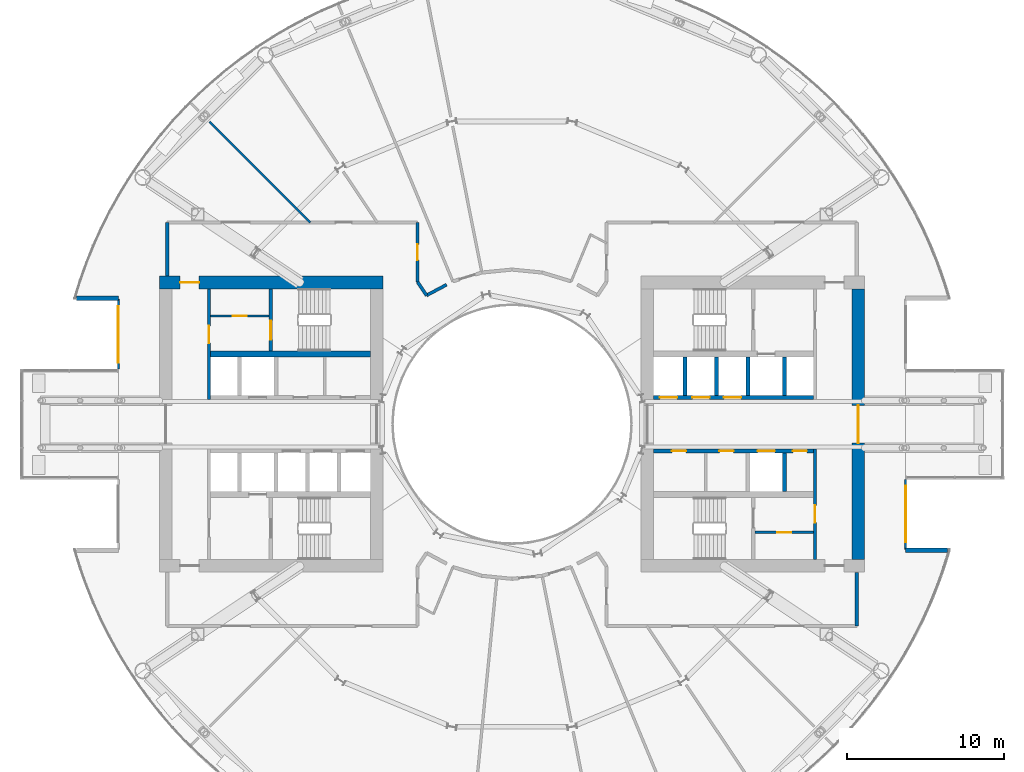
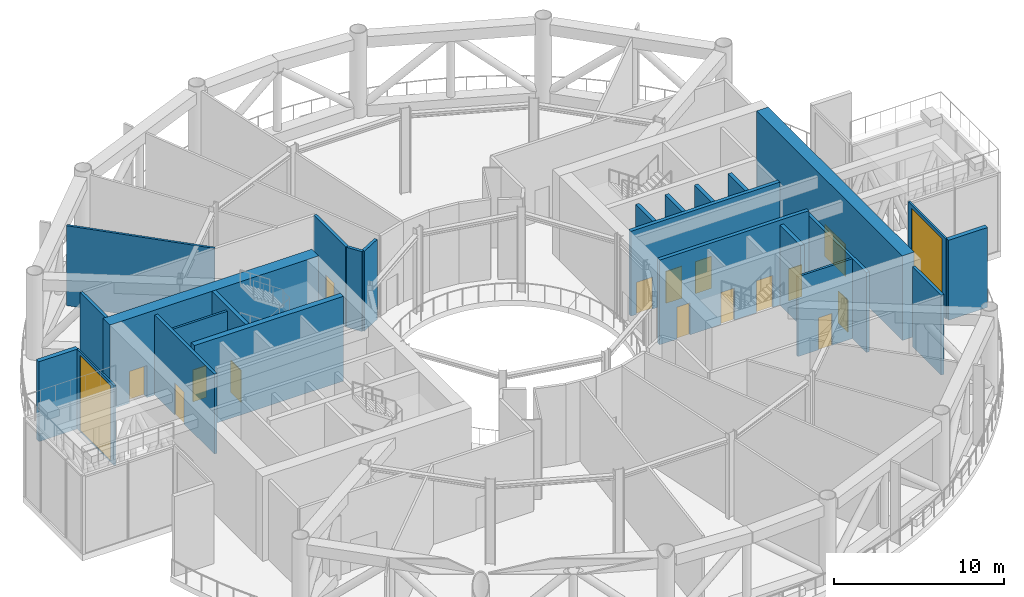
# One storey, part 12 of 22: 25 walls, 15 doors, 2 windows, 17 openings.
"""IFC4 building model written with IfcOpenShell, lengths in metres."""

from ifc_helpers import new_model, si_unit, direction, frame, frame_2d, origin, place, context, subcontext, project, spatial, rectangle, extrude, material, layer, layer_set, type_object, element, fill, save


model = new_model("IFC4")

# Units and contexts
model_context = context("Model", 3, precision=1e-05, world=origin(), true_north=direction((0.0, 1.0)))
body_context = subcontext(model_context, "Body", "Model", "MODEL_VIEW")
ifc_project = project(units=[si_unit("LENGTHUNIT", "METRE"), si_unit("AREAUNIT", "SQUARE_METRE"), si_unit("VOLUMEUNIT", "CUBIC_METRE"), si_unit("PLANEANGLEUNIT", "RADIAN"), si_unit("MASSUNIT", "GRAM", prefix="KILO")], contexts=[model_context])

# Site, building, storey
site_placement = place(None, origin())
site = spatial("IfcSite", under=ifc_project, at=site_placement, CompositionType="ELEMENT")
building_placement = place(site_placement, origin())
building = spatial("IfcBuilding", under=site, at=building_placement, Name="Maasbend Ring Residences", CompositionType="ELEMENT")
storey_placement = place(building_placement, frame((0.0, 0.0, 57.5)))
storey = spatial("IfcBuildingStorey", under=building, at=storey_placement, Name="L16", CompositionType="ELEMENT", Elevation=57.5)

# Wall, openings, doors
ifc_material_1 = material(Name="Concrete C70/85", Category="concrete")
ifc_layer_1 = layer(ifc_material_1, 0.25)
ifc_layer_set_1 = layer_set([ifc_layer_1], Name="Concrete C70/85")
wall_type_1 = type_object("IfcWallType", Name="CORE WALL 250 C70/85", PredefinedType="SHEAR", material=ifc_layer_set_1)
wall_1_placement = place(storey_placement, frame((9.0, 1.699951171875, 0.0), z_axis=(0.0, 0.0, 1.0), x_axis=(1.0, 0.0, 0.0)))
wall_1 = element("IfcWall", 1, at=wall_1_placement, inside=storey, type_object=wall_type_1, Name="L16 core E wall SPN", PredefinedType="SHEAR", context=body_context, shape_type="SweptSolid", body=[
    extrude(rectangle(XDim=10.14990234375, YDim=0.25, at=frame_2d((5.074951171875, 0.0))), origin(), (0.0, 0.0, 1.0), 6.10009765625),
])
opening_1_placement = place(wall_1_placement, frame((0.387451171875, 0.0, 0.0)))
opening_1 = element("IfcOpeningElement", 2, at=opening_1_placement, cuts=wall_1, Name="Opening LD-E1601", PredefinedType="OPENING", context=body_context, shape_type="SweptSolid", body=[
    extrude(rectangle(XDim=1.10009765625, YDim=2.300048828125, at=frame_2d((0.550048828125, 1.14990234375))), frame((0.0, 0.135009765625, 0.0), z_axis=(0.0, -1.0, 0.0), x_axis=(1.0, 0.0, 0.0)), (0.0, 0.0, 1.0), 0.27001953125),
])
opening_2_placement = place(wall_1_placement, frame((2.449951171875, 0.0, 0.0)))
opening_2 = element("IfcOpeningElement", 3, at=opening_2_placement, cuts=wall_1, Name="Opening LD-E1602", PredefinedType="OPENING", context=body_context, shape_type="SweptSolid", body=[
    extrude(rectangle(XDim=1.10009765625, YDim=2.300048828125, at=frame_2d((0.550048828125, 1.14990234375))), frame((0.0, 0.135009765625, 0.0), z_axis=(0.0, -1.0, 0.0), x_axis=(1.0, 0.0, 0.0)), (0.0, 0.0, 1.0), 0.27001953125),
])
opening_3_placement = place(wall_1_placement, frame((4.449951171875, 0.0, 0.0)))
opening_3 = element("IfcOpeningElement", 4, at=opening_3_placement, cuts=wall_1, Name="Opening LD-E1603", PredefinedType="OPENING", context=body_context, shape_type="SweptSolid", body=[
    extrude(rectangle(XDim=1.10009765625, YDim=2.300048828125, at=frame_2d((0.550048828125, 1.14990234375))), frame((0.0, 0.135009765625, 0.0), z_axis=(0.0, -1.0, 0.0), x_axis=(1.0, 0.0, 0.0)), (0.0, 0.0, 1.0), 0.27001953125),
])
ifc_material_2 = material(Name="Stainless steel 316", Category="steel")
door_type_1 = type_object("IfcDoorType", Name="LANDING DOOR 1100 X 2300 FD60", OperationType="DOUBLE_DOOR_SLIDING", PredefinedType="DOOR", material=ifc_material_2)
door_1_placement = place(opening_1_placement, origin())
door_1 = element("IfcDoor", 5, at=door_1_placement, inside=storey, type_object=door_type_1, Name="Landing door LR-E1 L16", OperationType="DOUBLE_DOOR_SLIDING", OverallHeight=2.300048828125, OverallWidth=1.10009765625, PredefinedType="DOOR", context=body_context, shape_type="SweptSolid", body=[
    extrude(rectangle(XDim=1.10009765625, YDim=2.300048828125, at=frame_2d((0.550048828125, 1.14990234375))), frame((0.0, 0.02490234375, 0.0), z_axis=(0.0, -1.0, 0.0), x_axis=(1.0, 0.0, 0.0)), (0.0, 0.0, 1.0), 0.050048828125),
])
fill(opening_1, door_1)
door_2_placement = place(opening_2_placement, origin())
door_2 = element("IfcDoor", 6, at=door_2_placement, inside=storey, type_object=door_type_1, Name="Landing door LR-E2 L16", OperationType="DOUBLE_DOOR_SLIDING", OverallHeight=2.300048828125, OverallWidth=1.10009765625, PredefinedType="DOOR", context=body_context, shape_type="SweptSolid", body=[
    extrude(rectangle(XDim=1.10009765625, YDim=2.300048828125, at=frame_2d((0.550048828125, 1.14990234375))), frame((0.0, 0.02490234375, 0.0), z_axis=(0.0, -1.0, 0.0), x_axis=(1.0, 0.0, 0.0)), (0.0, 0.0, 1.0), 0.050048828125),
])
fill(opening_2, door_2)
door_3_placement = place(opening_3_placement, origin())
door_3 = element("IfcDoor", 7, at=door_3_placement, inside=storey, type_object=door_type_1, Name="Landing door LR-E3 L16", OperationType="DOUBLE_DOOR_SLIDING", OverallHeight=2.300048828125, OverallWidth=1.10009765625, PredefinedType="DOOR", context=body_context, shape_type="SweptSolid", body=[
    extrude(rectangle(XDim=1.10009765625, YDim=2.300048828125, at=frame_2d((0.550048828125, 1.14990234375))), frame((0.0, 0.02490234375, 0.0), z_axis=(0.0, -1.0, 0.0), x_axis=(1.0, 0.0, 0.0)), (0.0, 0.0, 1.0), 0.050048828125),
])
fill(opening_3, door_3)

wall_2_placement = place(storey_placement, frame((19.14990234375, -1.699951171875, 0.0), z_axis=(0.0, 0.0, 1.0), x_axis=(-1.0, 0.0, 0.0)))
wall_2 = element("IfcWall", 8, at=wall_2_placement, inside=storey, type_object=wall_type_1, Name="L16 core E wall SPS", PredefinedType="SHEAR", context=body_context, shape_type="SweptSolid", body=[
    extrude(rectangle(XDim=10.14990234375, YDim=0.25, at=frame_2d((5.074951171875, 0.0))), origin(), (0.0, 0.0, 1.0), 6.10009765625),
])
opening_4_placement = place(wall_2_placement, frame((2.449951171875, 0.0, 0.0)))
opening_4 = element("IfcOpeningElement", 9, at=opening_4_placement, cuts=wall_2, Name="Opening LD-E1605", PredefinedType="OPENING", context=body_context, shape_type="SweptSolid", body=[
    extrude(rectangle(XDim=1.10009765625, YDim=2.300048828125, at=frame_2d((0.550048828125, 1.14990234375))), frame((0.0, 0.135009765625, 0.0), z_axis=(0.0, -1.0, 0.0), x_axis=(1.0, 0.0, 0.0)), (0.0, 0.0, 1.0), 0.27001953125),
])
opening_5_placement = place(wall_2_placement, frame((8.08740234375, 0.0, 0.0)))
opening_5 = element("IfcOpeningElement", 10, at=opening_5_placement, cuts=wall_2, Name="Opening D-E1606", PredefinedType="OPENING", context=body_context, shape_type="SweptSolid", body=[
    extrude(rectangle(XDim=0.89990234375, YDim=2.300048828125, at=frame_2d((0.449951171875, 1.14990234375))), frame((0.0, 0.135009765625, 0.0), z_axis=(0.0, -1.0, 0.0), x_axis=(1.0, 0.0, 0.0)), (0.0, 0.0, 1.0), 0.27001953125),
])
opening_6_placement = place(wall_2_placement, frame((5.074951171875, 0.0, 0.0)))
opening_6 = element("IfcOpeningElement", 11, at=opening_6_placement, cuts=wall_2, Name="Opening D-E1607", PredefinedType="OPENING", context=body_context, shape_type="SweptSolid", body=[
    extrude(rectangle(XDim=0.89990234375, YDim=2.300048828125, at=frame_2d((0.449951171875, 1.14990234375))), frame((0.0, 0.135009765625, 0.0), z_axis=(0.0, -1.0, 0.0), x_axis=(1.0, 0.0, 0.0)), (0.0, 0.0, 1.0), 0.27001953125),
])
opening_7_placement = place(wall_2_placement, frame((0.41259765625, 0.0, 0.0)))
opening_7 = element("IfcOpeningElement", 12, at=opening_7_placement, cuts=wall_2, Name="Opening D-E1608", PredefinedType="OPENING", context=body_context, shape_type="SweptSolid", body=[
    extrude(rectangle(XDim=0.89990234375, YDim=2.300048828125, at=frame_2d((0.449951171875, 1.14990234375))), frame((0.0, 0.135009765625, 0.0), z_axis=(0.0, -1.0, 0.0), x_axis=(1.0, 0.0, 0.0)), (0.0, 0.0, 1.0), 0.27001953125),
])
door_4_placement = place(opening_4_placement, origin())
door_4 = element("IfcDoor", 13, at=door_4_placement, inside=storey, type_object=door_type_1, Name="Landing door SV-E L16", OperationType="DOUBLE_DOOR_SLIDING", OverallHeight=2.300048828125, OverallWidth=1.10009765625, PredefinedType="DOOR", context=body_context, shape_type="SweptSolid", body=[
    extrude(rectangle(XDim=1.10009765625, YDim=2.300048828125, at=frame_2d((0.550048828125, 1.14990234375))), frame((0.0, 0.02490234375, 0.0), z_axis=(0.0, -1.0, 0.0), x_axis=(1.0, 0.0, 0.0)), (0.0, 0.0, 1.0), 0.050048828125),
])
fill(opening_4, door_4)
ifc_material_3 = material(Name="Steel, powder coated", Category="steel")
door_type_2 = type_object("IfcDoorType", Name="ROOM DOOR 900 X 2300 FD30S", OperationType="NOTDEFINED", PredefinedType="DOOR", material=ifc_material_3)
door_5_placement = place(opening_5_placement, origin())
door_5 = element("IfcDoor", 14, at=door_5_placement, inside=storey, type_object=door_type_2, Name="Room door L16", OperationType="SINGLE_SWING_LEFT", OverallHeight=2.300048828125, OverallWidth=0.89990234375, PredefinedType="DOOR", context=body_context, shape_type="SweptSolid", body=[
    extrude(rectangle(XDim=0.89990234375, YDim=2.300048828125, at=frame_2d((0.449951171875, 1.14990234375))), frame((0.0, 0.02490234375, 0.0), z_axis=(0.0, -1.0, 0.0), x_axis=(1.0, 0.0, 0.0)), (0.0, 0.0, 1.0), 0.050048828125),
])
fill(opening_5, door_5)
door_6_placement = place(opening_6_placement, origin())
door_6 = element("IfcDoor", 15, at=door_6_placement, inside=storey, type_object=door_type_2, Name="Room door L16", OperationType="SINGLE_SWING_LEFT", OverallHeight=2.300048828125, OverallWidth=0.89990234375, PredefinedType="DOOR", context=body_context, shape_type="SweptSolid", body=[
    extrude(rectangle(XDim=0.89990234375, YDim=2.300048828125, at=frame_2d((0.449951171875, 1.14990234375))), frame((0.0, 0.02490234375, 0.0), z_axis=(0.0, -1.0, 0.0), x_axis=(1.0, 0.0, 0.0)), (0.0, 0.0, 1.0), 0.050048828125),
])
fill(opening_6, door_6)
door_7_placement = place(opening_7_placement, origin())
door_7 = element("IfcDoor", 16, at=door_7_placement, inside=storey, type_object=door_type_2, Name="Room door L16", OperationType="SINGLE_SWING_RIGHT", OverallHeight=2.300048828125, OverallWidth=0.89990234375, PredefinedType="DOOR", context=body_context, shape_type="SweptSolid", body=[
    extrude(rectangle(XDim=0.89990234375, YDim=2.300048828125, at=frame_2d((0.449951171875, 1.14990234375))), frame((0.0, 0.02490234375, 0.0), z_axis=(0.0, -1.0, 0.0), x_axis=(1.0, 0.0, 0.0)), (0.0, 0.0, 1.0), 0.050048828125),
])
fill(opening_7, door_7)

# Wall, opening, door
wall_3_placement = place(storey_placement, frame((-15.324951171875, 8.60009765625, 0.0), z_axis=(0.0, 0.0, 1.0), x_axis=(0.0, -1.0, 0.0)))
wall_3 = element("IfcWall", 17, at=wall_3_placement, inside=storey, type_object=wall_type_1, Name="L16 core W wall STES", PredefinedType="SHEAR", context=body_context, shape_type="SweptSolid", body=[
    extrude(rectangle(XDim=3.9501953125, YDim=0.25, at=frame_2d((1.97509765625, 0.0))), origin(), (0.0, 0.0, 1.0), 6.10009765625),
])
opening_8_placement = place(wall_3_placement, frame((2.02490234375, 0.0, 0.0)))
opening_8 = element("IfcOpeningElement", 18, at=opening_8_placement, cuts=wall_3, Name="Opening D-W1610", PredefinedType="OPENING", context=body_context, shape_type="SweptSolid", body=[
    extrude(rectangle(XDim=1.199951171875, YDim=2.300048828125, at=frame_2d((0.60009765625, 1.14990234375))), frame((0.0, 0.135009765625, 0.0), z_axis=(0.0, -1.0, 0.0), x_axis=(1.0, 0.0, 0.0)), (0.0, 0.0, 1.0), 0.27001953125),
])
ifc_material_4 = material(Name="Steel, powder coated", Category="steel")
door_type_3 = type_object("IfcDoorType", Name="STAIR DOOR 1200 X 2300 FD60", OperationType="NOTDEFINED", PredefinedType="DOOR", material=ifc_material_4)
door_8_placement = place(opening_8_placement, origin())
door_8 = element("IfcDoor", 19, at=door_8_placement, inside=storey, type_object=door_type_3, Name="Stair door ST-W L16", OperationType="SINGLE_SWING_LEFT", OverallHeight=2.300048828125, OverallWidth=1.199951171875, PredefinedType="DOOR", context=body_context, shape_type="SweptSolid", body=[
    extrude(rectangle(XDim=1.199951171875, YDim=2.300048828125, at=frame_2d((0.60009765625, 1.14990234375))), frame((0.0, 0.02490234375, 0.0), z_axis=(0.0, -1.0, 0.0), x_axis=(1.0, 0.0, 0.0)), (0.0, 0.0, 1.0), 0.050048828125),
])
fill(opening_8, door_8)

# Wall
ifc_material_5 = material(Name="Concrete C70/85", Category="concrete")
ifc_layer_2 = layer(ifc_material_5, 0.375)
ifc_layer_set_2 = layer_set([ifc_layer_2], Name="Concrete C70/85")
wall_type_2 = type_object("IfcWallType", Name="CORE WALL 375 C70/85", PredefinedType="SHEAR", material=ifc_layer_set_2)
wall_4_placement = place(storey_placement, frame((-9.0, 4.46240234375, 0.0), z_axis=(0.0, 0.0, 1.0), x_axis=(-1.0, 0.0, 0.0)))
element("IfcWall", 20, at=wall_4_placement, inside=storey, type_object=wall_type_2, Name="L16 core W wall BS", PredefinedType="SHEAR", context=body_context, shape_type="SweptSolid", body=[
    extrude(rectangle(XDim=10.14990234375, YDim=0.375, at=frame_2d((5.074951171875, 0.0))), origin(), (0.0, 0.0, 1.0), 6.10009765625),
])

# Wall, opening, door
ifc_material_6 = material(Name="Concrete C70/85", Category="concrete")
ifc_layer_3 = layer(ifc_material_6, 0.800048828125)
ifc_layer_set_3 = layer_set([ifc_layer_3], Name="Concrete C70/85")
wall_type_3 = type_object("IfcWallType", Name="CORE WALL 800 C70/85", PredefinedType="SHEAR", material=ifc_layer_set_3)
wall_5_placement = place(storey_placement, frame((22.0, 8.60009765625, 0.0), z_axis=(0.0, 0.0, 1.0), x_axis=(0.0, -1.0, 0.0)))
wall_5 = element("IfcWall", 21, at=wall_5_placement, inside=storey, type_object=wall_type_3, Name="L16 core E wall POUT", PredefinedType="SHEAR", context=body_context, shape_type="SweptSolid", body=[
    extrude(rectangle(XDim=17.2001953125, YDim=0.800048828125, at=frame_2d((8.60009765625, 0.0))), origin(), (0.0, 0.0, 1.0), 6.10009765625),
])
opening_9_placement = place(wall_5_placement, frame((7.39990234375, 0.0, 0.0)))
opening_9 = element("IfcOpeningElement", 22, at=opening_9_placement, cuts=wall_5, Name="Opening D-E1616", PredefinedType="OPENING", context=body_context, shape_type="SweptSolid", body=[
    extrude(rectangle(XDim=2.39990234375, YDim=2.300048828125, at=frame_2d((1.199951171875, 1.14990234375))), frame((0.0, 0.41015625, 0.0), z_axis=(0.0, -1.0, 0.0), x_axis=(1.0, 0.0, 0.0)), (0.0, 0.0, 1.0), 0.820068359375),
])
ifc_material_7 = material(Name="Aluminium frame, clear glass", Category="aluminium")
door_type_4 = type_object("IfcDoorType", Name="ENTRANCE DOOR 2400 X 2300 FD60", OperationType="NOTDEFINED", PredefinedType="DOOR", material=ifc_material_7)
door_9_placement = place(opening_9_placement, origin())
door_9 = element("IfcDoor", 23, at=door_9_placement, inside=storey, type_object=door_type_4, Name="Lobby glazed door L16", OperationType="SINGLE_SWING_LEFT", OverallHeight=2.300048828125, OverallWidth=2.39990234375, PredefinedType="DOOR", context=body_context, shape_type="SweptSolid", body=[
    extrude(rectangle(XDim=2.39990234375, YDim=2.300048828125, at=frame_2d((1.199951171875, 1.14990234375))), frame((0.0, 0.02490234375, 0.0), z_axis=(0.0, -1.0, 0.0), x_axis=(1.0, 0.0, 0.0)), (0.0, 0.0, 1.0), 0.050048828125),
])
fill(opening_9, door_9)

wall_6_placement = place(storey_placement, frame((-8.199951171875, 9.0, 0.0), z_axis=(0.0, 0.0, 1.0), x_axis=(-1.0, 0.0, 0.0)))
wall_6 = element("IfcWall", 24, at=wall_6_placement, inside=storey, type_object=wall_type_3, Name="L16 core W wall PS", PredefinedType="SHEAR", context=body_context, shape_type="SweptSolid", body=[
    extrude(rectangle(XDim=14.199951171875, YDim=0.800048828125, at=frame_2d((7.10009765625, 0.0))), origin(), (0.0, 0.0, 1.0), 6.10009765625),
])
opening_10_placement = place(wall_6_placement, frame((11.675048828125, 0.0, 0.0)))
opening_10 = element("IfcOpeningElement", 25, at=opening_10_placement, cuts=wall_6, Name="Opening D-W1614", PredefinedType="OPENING", context=body_context, shape_type="SweptSolid", body=[
    extrude(rectangle(XDim=1.199951171875, YDim=2.300048828125, at=frame_2d((0.60009765625, 1.14990234375))), frame((0.0, 0.41015625, 0.0), z_axis=(0.0, -1.0, 0.0), x_axis=(1.0, 0.0, 0.0)), (0.0, 0.0, 1.0), 0.820068359375),
])
ifc_material_8 = material(Name="Steel, powder coated", Category="steel")
door_type_5 = type_object("IfcDoorType", Name="CORRIDOR DOOR 1200 X 2300 FD30S", OperationType="NOTDEFINED", PredefinedType="DOOR", material=ifc_material_8)
door_10_placement = place(opening_10_placement, origin())
door_10 = element("IfcDoor", 26, at=door_10_placement, inside=storey, type_object=door_type_5, Name="Corridor door L16", OperationType="SINGLE_SWING_LEFT", OverallHeight=2.300048828125, OverallWidth=1.199951171875, PredefinedType="DOOR", context=body_context, shape_type="SweptSolid", body=[
    extrude(rectangle(XDim=1.199951171875, YDim=2.300048828125, at=frame_2d((0.60009765625, 1.14990234375))), frame((0.0, 0.02490234375, 0.0), z_axis=(0.0, -1.0, 0.0), x_axis=(1.0, 0.0, 0.0)), (0.0, 0.0, 1.0), 0.050048828125),
])
fill(opening_10, door_10)

# Walls
ifc_material_9 = material(Name="Concrete C30/37", Category="concrete")
ifc_layer_4 = layer(ifc_material_9, 0.199951171875)
ifc_layer_set_4 = layer_set([ifc_layer_4], Name="Concrete C30/37")
wall_type_4 = type_object("IfcWallType", Name="CORRIDOR WALL 200 CONCRETE", PredefinedType="PARTITIONING", material=ifc_layer_set_4)
wall_7_placement = place(storey_placement, frame((21.89990234375, -12.820068359375, 0.0), z_axis=(0.0, 0.0, 1.0), x_axis=(0.0, 1.0, 0.0)))
element("IfcWall", 27, at=wall_7_placement, inside=storey, type_object=wall_type_4, Name="U-L16-w001", PredefinedType="PARTITIONING", context=body_context, shape_type="SweptSolid", body=[
    extrude(rectangle(XDim=3.400146484375, YDim=0.199951171875, at=frame_2d((1.7001953125, 0.0))), origin(), (0.0, 0.0, 1.0), 5.75),
])
wall_8_placement = place(storey_placement, frame((-6.0, 9.033935546875, 0.0), z_axis=(0.0, 0.0, 1.0), x_axis=(0.555412364489, -0.831575075007, 0.0)))
element("IfcWall", 28, at=wall_8_placement, inside=storey, type_object=wall_type_4, Name="U-L16-w039", PredefinedType="PARTITIONING", context=body_context, shape_type="SweptSolid", body=[
    extrude(rectangle(XDim=1.028076171875, YDim=0.199951171875, at=frame_2d((0.51416015625, 0.0))), origin(), (0.0, 0.0, 1.0), 5.75),
])

# Wall, opening, door
wall_9_placement = place(storey_placement, frame((-6.0, 9.033935546875, 0.0), z_axis=(0.0, 0.0, 1.0), x_axis=(0.0, 1.0, 0.0)))
wall_9 = element("IfcWall", 29, at=wall_9_placement, inside=storey, type_object=wall_type_4, Name="U-L16-w042", PredefinedType="PARTITIONING", context=body_context, shape_type="SweptSolid", body=[
    extrude(rectangle(XDim=3.7861328125, YDim=0.199951171875, at=frame_2d((1.89306640625, 0.0))), origin(), (0.0, 0.0, 1.0), 5.75),
])
opening_11_placement = place(wall_9_placement, frame((1.39306640625, 0.0, 0.0)))
opening_11 = element("IfcOpeningElement", 30, at=opening_11_placement, cuts=wall_9, Name="Opening D-1604", PredefinedType="OPENING", context=body_context, shape_type="SweptSolid", body=[
    extrude(rectangle(XDim=1.0, YDim=2.300048828125, at=frame_2d((0.5, 1.14990234375))), frame((0.0, 0.10986328125, 0.0), z_axis=(0.0, -1.0, 0.0), x_axis=(1.0, 0.0, 0.0)), (0.0, 0.0, 1.0), 0.219970703125),
])
ifc_material_10 = material(Name="Timber, painted", Category="wood")
door_type_6 = type_object("IfcDoorType", Name="ROOM DOOR 1000 X 2300", OperationType="NOTDEFINED", PredefinedType="DOOR", material=ifc_material_10)
door_11_placement = place(opening_11_placement, origin())
door_11 = element("IfcDoor", 31, at=door_11_placement, inside=storey, type_object=door_type_6, Name="D-1604", OperationType="SINGLE_SWING_LEFT", OverallHeight=2.300048828125, OverallWidth=1.0, PredefinedType="DOOR", context=body_context, shape_type="SweptSolid", body=[
    extrude(rectangle(XDim=1.0, YDim=2.300048828125, at=frame_2d((0.5, 1.14990234375))), frame((0.0, 0.02490234375, 0.0), z_axis=(0.0, -1.0, 0.0), x_axis=(1.0, 0.0, 0.0)), (0.0, 0.0, 1.0), 0.050048828125),
])
fill(opening_11, door_11)

# Walls
wall_10_placement = place(storey_placement, frame((-5.428955078125, 8.178955078125, 0.0), z_axis=(0.0, 0.0, 1.0), x_axis=(0.88193287619, 0.471375011954, 0.0)))
element("IfcWall", 32, at=wall_10_placement, inside=storey, type_object=wall_type_4, Name="U-L16-w043", PredefinedType="PARTITIONING", context=body_context, shape_type="SweptSolid", body=[
    extrude(rectangle(XDim=1.44921875, YDim=0.199951171875, at=frame_2d((0.724609375, 0.0))), origin(), (0.0, 0.0, 1.0), 5.75),
])
wall_11_placement = place(storey_placement, frame((-21.89990234375, 9.419921875, 0.0), z_axis=(0.0, 0.0, 1.0), x_axis=(0.0, 1.0, 0.0)))
element("IfcWall", 33, at=wall_11_placement, inside=storey, type_object=wall_type_4, Name="U-L16-w053", PredefinedType="PARTITIONING", context=body_context, shape_type="SweptSolid", body=[
    extrude(rectangle(XDim=3.400146484375, YDim=0.199951171875, at=frame_2d((1.7001953125, 0.0))), origin(), (0.0, 0.0, 1.0), 5.75),
])
ifc_material_11 = material(Name="Aluminium clad insulated panel", Category="aluminium")
ifc_layer_5 = layer(ifc_material_11, 0.300048828125)
ifc_layer_set_5 = layer_set([ifc_layer_5], Name="EW-RET")
wall_type_5 = type_object("IfcWallType", Name="EW-RET", PredefinedType="SOLIDWALL", material=ifc_layer_set_5)
for number, where, z_axis, x_axis, name in (
    (34, (25.0, -8.0, 0.0), (0.0, 0.0, 1.0), (1.0, 0.0, 0.0), "Notch return wall east south"),
    (35, (-25.0, 8.0, 0.0), (0.0, 0.0, 1.0), (-1.0, 0.0, 0.0), "Notch return wall west north"),
):
    element("IfcWall", number, at=place(storey_placement, frame(where, z_axis=z_axis, x_axis=x_axis)), inside=storey, type_object=wall_type_5, Name=name, PredefinedType="SOLIDWALL", context=body_context, shape_type="SweptSolid", body=[
        extrude(rectangle(XDim=2.6669921875, YDim=0.300048828125, at=frame_2d((1.33349609375, 0.0))), origin(), (0.0, 0.0, 1.0), 5.75),
    ])

# Wall, opening, window
ifc_material_12 = material(Name="Aluminium frame and clear glass", Category="aluminium")
ifc_layer_6 = layer(ifc_material_12, 0.1201171875)
ifc_layer_set_6 = layer_set([ifc_layer_6], Name="GLAZED SCREEN WALL 120 EI 60")
wall_type_6 = type_object("IfcWallType", Name="GLAZED SCREEN WALL 120 EI 60", PredefinedType="PARTITIONING", material=ifc_layer_set_6)
wall_12_placement = place(storey_placement, frame((25.0, -3.5, 0.0), z_axis=(0.0, 0.0, 1.0), x_axis=(0.0, -1.0, 0.0)))
wall_12 = element("IfcWall", 36, at=wall_12_placement, inside=storey, type_object=wall_type_6, Name="L16 core E wall FACEA", PredefinedType="PARTITIONING", context=body_context, shape_type="SweptSolid", body=[
    extrude(rectangle(XDim=4.449951171875, YDim=0.1201171875, at=frame_2d((2.22509765625, 0.0))), origin(), (0.0, 0.0, 1.0), 5.75),
])
opening_12_placement = place(wall_12_placement, frame((0.39990234375, 0.0, 0.10009765625)))
opening_12 = element("IfcOpeningElement", 37, at=opening_12_placement, cuts=wall_12, Name="Opening W-E1602", PredefinedType="OPENING", context=body_context, shape_type="SweptSolid", body=[
    extrude(rectangle(XDim=3.60009765625, YDim=5.39990234375, at=frame_2d((1.800048828125, 2.699951171875))), frame((0.0, 0.070068359375, 0.0), z_axis=(0.0, -1.0, 0.0), x_axis=(1.0, 0.0, 0.0)), (0.0, 0.0, 1.0), 0.14013671875),
])
ifc_material_13 = material(Name="Aluminium frame and clear glass", Category="aluminium")
window_type = type_object("IfcWindowType", Name="FIXED WINDOW 3600 X 5400", PartitioningType="SINGLE_PANEL", PredefinedType="WINDOW", material=ifc_material_13)
window_1_placement = place(opening_12_placement, origin())
window_1 = element("IfcWindow", 38, at=window_1_placement, inside=storey, type_object=window_type, Name="Lobby window L16", OverallHeight=5.39990234375, OverallWidth=3.60009765625, PartitioningType="SINGLE_PANEL", PredefinedType="WINDOW", context=body_context, shape_type="SweptSolid", body=[
    extrude(rectangle(XDim=3.60009765625, YDim=5.39990234375, at=frame_2d((1.800048828125, 2.699951171875))), frame((0.0, 0.030029296875, 0.0), z_axis=(0.0, -1.0, 0.0), x_axis=(1.0, 0.0, 0.0)), (0.0, 0.0, 1.0), 0.06005859375),
])
fill(opening_12, window_1)

wall_13_placement = place(storey_placement, frame((-25.0, 3.5, 0.0), z_axis=(0.0, 0.0, 1.0), x_axis=(0.0, 1.0, 0.0)))
wall_13 = element("IfcWall", 39, at=wall_13_placement, inside=storey, type_object=wall_type_6, Name="L16 core W wall FACEA", PredefinedType="PARTITIONING", context=body_context, shape_type="SweptSolid", body=[
    extrude(rectangle(XDim=4.449951171875, YDim=0.1201171875, at=frame_2d((2.22509765625, 0.0))), origin(), (0.0, 0.0, 1.0), 5.75),
])
opening_13_placement = place(wall_13_placement, frame((0.39990234375, 0.0, 0.10009765625)))
opening_13 = element("IfcOpeningElement", 40, at=opening_13_placement, cuts=wall_13, Name="Opening W-W1602", PredefinedType="OPENING", context=body_context, shape_type="SweptSolid", body=[
    extrude(rectangle(XDim=3.60009765625, YDim=5.39990234375, at=frame_2d((1.800048828125, 2.699951171875))), frame((0.0, 0.070068359375, 0.0), z_axis=(0.0, -1.0, 0.0), x_axis=(1.0, 0.0, 0.0)), (0.0, 0.0, 1.0), 0.14013671875),
])
window_2_placement = place(opening_13_placement, origin())
window_2 = element("IfcWindow", 41, at=window_2_placement, inside=storey, type_object=window_type, Name="Lobby window L16", OverallHeight=5.39990234375, OverallWidth=3.60009765625, PartitioningType="SINGLE_PANEL", PredefinedType="WINDOW", context=body_context, shape_type="SweptSolid", body=[
    extrude(rectangle(XDim=3.60009765625, YDim=5.39990234375, at=frame_2d((1.800048828125, 2.699951171875))), frame((0.0, 0.030029296875, 0.0), z_axis=(0.0, -1.0, 0.0), x_axis=(1.0, 0.0, 0.0)), (0.0, 0.0, 1.0), 0.06005859375),
])
fill(opening_13, window_2)

# Wall, opening, door
ifc_material_14 = material(Name="Gypsum board on steel studs", Category="steel")
ifc_layer_7 = layer(ifc_material_14, 0.14990234375)
ifc_layer_set_7 = layer_set([ifc_layer_7], Name="PARTITION 150 EI 60")
wall_type_7 = type_object("IfcWallType", Name="PARTITION 150 EI 60", PredefinedType="PARTITIONING", material=ifc_layer_set_7)
wall_14_placement = place(storey_placement, frame((15.449951171875, -6.875, 0.0), z_axis=(0.0, 0.0, 1.0), x_axis=(1.0, 0.0, 0.0)))
wall_14 = element("IfcWall", 42, at=wall_14_placement, inside=storey, type_object=wall_type_7, Name="L16 core E wall RHS", PredefinedType="PARTITIONING", context=body_context, shape_type="SweptSolid", body=[
    extrude(rectangle(XDim=3.699951171875, YDim=0.14990234375, at=frame_2d((1.85009765625, 0.0))), origin(), (0.0, 0.0, 1.0), 5.75),
])
opening_14_placement = place(wall_14_placement, frame((1.39990234375, 0.0, 0.0)))
opening_14 = element("IfcOpeningElement", 43, at=opening_14_placement, cuts=wall_14, Name="Opening D-E1609", PredefinedType="OPENING", context=body_context, shape_type="SweptSolid", body=[
    extrude(rectangle(XDim=0.89990234375, YDim=2.300048828125, at=frame_2d((0.449951171875, 1.14990234375))), frame((0.0, 0.0849609375, 0.0), z_axis=(0.0, -1.0, 0.0), x_axis=(1.0, 0.0, 0.0)), (0.0, 0.0, 1.0), 0.169921875),
])
ifc_material_15 = material(Name="Steel, powder coated", Category="steel")
door_type_7 = type_object("IfcDoorType", Name="RISER DOOR 900 X 2300 FD60", OperationType="NOTDEFINED", PredefinedType="DOOR", material=ifc_material_15)
door_12_placement = place(opening_14_placement, origin())
door_12 = element("IfcDoor", 44, at=door_12_placement, inside=storey, type_object=door_type_7, Name="Riser door L16", OperationType="SINGLE_SWING_LEFT", OverallHeight=2.300048828125, OverallWidth=0.89990234375, PredefinedType="DOOR", context=body_context, shape_type="SweptSolid", body=[
    extrude(rectangle(XDim=0.89990234375, YDim=2.300048828125, at=frame_2d((0.449951171875, 1.14990234375))), frame((0.0, 0.02490234375, 0.0), z_axis=(0.0, -1.0, 0.0), x_axis=(1.0, 0.0, 0.0)), (0.0, 0.0, 1.0), 0.050048828125),
])
fill(opening_14, door_12)

wall_15_placement = place(storey_placement, frame((-15.449951171875, 6.875, 0.0), z_axis=(0.0, 0.0, 1.0), x_axis=(-1.0, 0.0, 0.0)))
wall_15 = element("IfcWall", 45, at=wall_15_placement, inside=storey, type_object=wall_type_7, Name="L16 core W wall RHS", PredefinedType="PARTITIONING", context=body_context, shape_type="SweptSolid", body=[
    extrude(rectangle(XDim=3.699951171875, YDim=0.14990234375, at=frame_2d((1.85009765625, 0.0))), origin(), (0.0, 0.0, 1.0), 5.75),
])
opening_15_placement = place(wall_15_placement, frame((1.39990234375, 0.0, 0.0)))
opening_15 = element("IfcOpeningElement", 46, at=opening_15_placement, cuts=wall_15, Name="Opening D-W1608", PredefinedType="OPENING", context=body_context, shape_type="SweptSolid", body=[
    extrude(rectangle(XDim=0.89990234375, YDim=2.300048828125, at=frame_2d((0.449951171875, 1.14990234375))), frame((0.0, 0.0849609375, 0.0), z_axis=(0.0, -1.0, 0.0), x_axis=(1.0, 0.0, 0.0)), (0.0, 0.0, 1.0), 0.169921875),
])
door_13_placement = place(opening_15_placement, origin())
door_13 = element("IfcDoor", 47, at=door_13_placement, inside=storey, type_object=door_type_7, Name="Riser door L16", OperationType="SINGLE_SWING_LEFT", OverallHeight=2.300048828125, OverallWidth=0.89990234375, PredefinedType="DOOR", context=body_context, shape_type="SweptSolid", body=[
    extrude(rectangle(XDim=0.89990234375, YDim=2.300048828125, at=frame_2d((0.449951171875, 1.14990234375))), frame((0.0, 0.02490234375, 0.0), z_axis=(0.0, -1.0, 0.0), x_axis=(1.0, 0.0, 0.0)), (0.0, 0.0, 1.0), 0.050048828125),
])
fill(opening_15, door_13)

# Wall
ifc_material_16 = material(Name="Gypsum board on steel studs", Category="steel")
ifc_layer_8 = layer(ifc_material_16, 0.14990234375)
ifc_layer_set_8 = layer_set([ifc_layer_8], Name="PARTITION 150 GYPSUM")
wall_type_8 = type_object("IfcWallType", Name="PARTITION 150 GYPSUM", PredefinedType="PARTITIONING", material=ifc_layer_set_8)
wall_16_placement = place(storey_placement, frame((-19.2041015625, 19.2041015625, 0.0), z_axis=(0.0, 0.0, 1.0), x_axis=(0.707106781187, -0.707106781187, 0.0)))
element("IfcWall", 48, at=wall_16_placement, inside=storey, type_object=wall_type_8, Name="U-L16-w019", PredefinedType="PARTITIONING", context=body_context, shape_type="SweptSolid", body=[
    extrude(rectangle(XDim=9.0283203125, YDim=0.14990234375, at=frame_2d((4.51416015625, 0.0))), origin(), (0.0, 0.0, 1.0), 5.75),
])

# Wall, opening, door
ifc_material_17 = material(Name="Concrete C30/37", Category="concrete")
ifc_layer_9 = layer(ifc_material_17, 0.199951171875)
ifc_layer_set_9 = layer_set([ifc_layer_9], Name="Concrete C30/37")
wall_type_9 = type_object("IfcWallType", Name="SHAFT WALL 200 EI 120", PredefinedType="SOLIDWALL", material=ifc_layer_set_9)
wall_17_placement = place(storey_placement, frame((19.25, -8.60009765625, 0.0), z_axis=(0.0, 0.0, 1.0), x_axis=(0.0, 1.0, 0.0)))
wall_17 = element("IfcWall", 49, at=wall_17_placement, inside=storey, type_object=wall_type_9, Name="L16 core E wall ENDS", PredefinedType="SOLIDWALL", context=body_context, shape_type="SweptSolid", body=[
    extrude(rectangle(XDim=7.025146484375, YDim=0.199951171875, at=frame_2d((3.5126953125, 0.0))), origin(), (0.0, 0.0, 1.0), 5.75),
])
opening_16_placement = place(wall_17_placement, frame((2.35009765625, 0.0, 0.0)))
opening_16 = element("IfcOpeningElement", 50, at=opening_16_placement, cuts=wall_17, Name="Opening D-E1613", PredefinedType="OPENING", context=body_context, shape_type="SweptSolid", body=[
    extrude(rectangle(XDim=1.10009765625, YDim=2.300048828125, at=frame_2d((0.550048828125, 1.14990234375))), frame((0.0, 0.10986328125, 0.0), z_axis=(0.0, -1.0, 0.0), x_axis=(1.0, 0.0, 0.0)), (0.0, 0.0, 1.0), 0.219970703125),
])
ifc_material_18 = material(Name="Steel, powder coated", Category="steel")
door_type_8 = type_object("IfcDoorType", Name="LOBBY DOOR 1100 X 2300 FD60", OperationType="NOTDEFINED", PredefinedType="DOOR", material=ifc_material_18)
door_14_placement = place(opening_16_placement, origin())
door_14 = element("IfcDoor", 51, at=door_14_placement, inside=storey, type_object=door_type_8, Name="Lobby door L16", OperationType="SINGLE_SWING_RIGHT", OverallHeight=2.300048828125, OverallWidth=1.10009765625, PredefinedType="DOOR", context=body_context, shape_type="SweptSolid", body=[
    extrude(rectangle(XDim=1.10009765625, YDim=2.300048828125, at=frame_2d((0.550048828125, 1.14990234375))), frame((0.0, 0.02490234375, 0.0), z_axis=(0.0, -1.0, 0.0), x_axis=(1.0, 0.0, 0.0)), (0.0, 0.0, 1.0), 0.050048828125),
])
fill(opening_16, door_14)

wall_18_placement = place(storey_placement, frame((-19.25, 8.60009765625, 0.0), z_axis=(0.0, 0.0, 1.0), x_axis=(0.0, -1.0, 0.0)))
wall_18 = element("IfcWall", 52, at=wall_18_placement, inside=storey, type_object=wall_type_9, Name="L16 core W wall ENDS", PredefinedType="SOLIDWALL", context=body_context, shape_type="SweptSolid", body=[
    extrude(rectangle(XDim=7.025146484375, YDim=0.199951171875, at=frame_2d((3.5126953125, 0.0))), origin(), (0.0, 0.0, 1.0), 5.75),
])
opening_17_placement = place(wall_18_placement, frame((2.35009765625, 0.0, 0.0)))
opening_17 = element("IfcOpeningElement", 53, at=opening_17_placement, cuts=wall_18, Name="Opening D-W1612", PredefinedType="OPENING", context=body_context, shape_type="SweptSolid", body=[
    extrude(rectangle(XDim=1.10009765625, YDim=2.300048828125, at=frame_2d((0.550048828125, 1.14990234375))), frame((0.0, 0.10986328125, 0.0), z_axis=(0.0, -1.0, 0.0), x_axis=(1.0, 0.0, 0.0)), (0.0, 0.0, 1.0), 0.219970703125),
])
door_15_placement = place(opening_17_placement, origin())
door_15 = element("IfcDoor", 54, at=door_15_placement, inside=storey, type_object=door_type_8, Name="Lobby door L16", OperationType="SINGLE_SWING_RIGHT", OverallHeight=2.300048828125, OverallWidth=1.10009765625, PredefinedType="DOOR", context=body_context, shape_type="SweptSolid", body=[
    extrude(rectangle(XDim=1.10009765625, YDim=2.300048828125, at=frame_2d((0.550048828125, 1.14990234375))), frame((0.0, 0.02490234375, 0.0), z_axis=(0.0, -1.0, 0.0), x_axis=(1.0, 0.0, 0.0)), (0.0, 0.0, 1.0), 0.050048828125),
])
fill(opening_17, door_15)

# Walls
ifc_material_19 = material(Name="Concrete C30/37", Category="concrete")
ifc_layer_10 = layer(ifc_material_19, 0.25)
ifc_layer_set_10 = layer_set([ifc_layer_10], Name="Concrete C30/37")
wall_type_10 = type_object("IfcWallType", Name="SHAFT WALL 250 EI 120", PredefinedType="SOLIDWALL", material=ifc_layer_set_10)
for number, where, z_axis, x_axis, name in (
    (55, (15.0, 1.824951171875, 0.0), (0.0, 0.0, 1.0), (0.0, 1.0, 0.0), "L16 core E wall D150N"),
    (56, (17.300048828125, 1.824951171875, 0.0), (0.0, 0.0, 1.0), (0.0, 1.0, 0.0), "L16 core E wall D173N"),
    (57, (17.300048828125, -1.824951171875, 0.0), (0.0, 0.0, 1.0), (0.0, -1.0, 0.0), "L16 core E wall D173S"),
    (58, (11.0, 1.824951171875, 0.0), (0.0, 0.0, 1.0), (0.0, 1.0, 0.0), "L16 core E wall D110N"),
    (59, (13.0, 1.824951171875, 0.0), (0.0, 0.0, 1.0), (0.0, 1.0, 0.0), "L16 core E wall D130N"),
):
    element("IfcWall", number, at=place(storey_placement, frame(where, z_axis=z_axis, x_axis=x_axis)), inside=storey, type_object=wall_type_10, Name=name, PredefinedType="SOLIDWALL", context=body_context, shape_type="SweptSolid", body=[
        extrude(rectangle(XDim=2.449951171875, YDim=0.25, at=frame_2d((1.22509765625, 0.0))), origin(), (0.0, 0.0, 1.0), 5.75),
    ])

save(model, "model.ifc")
